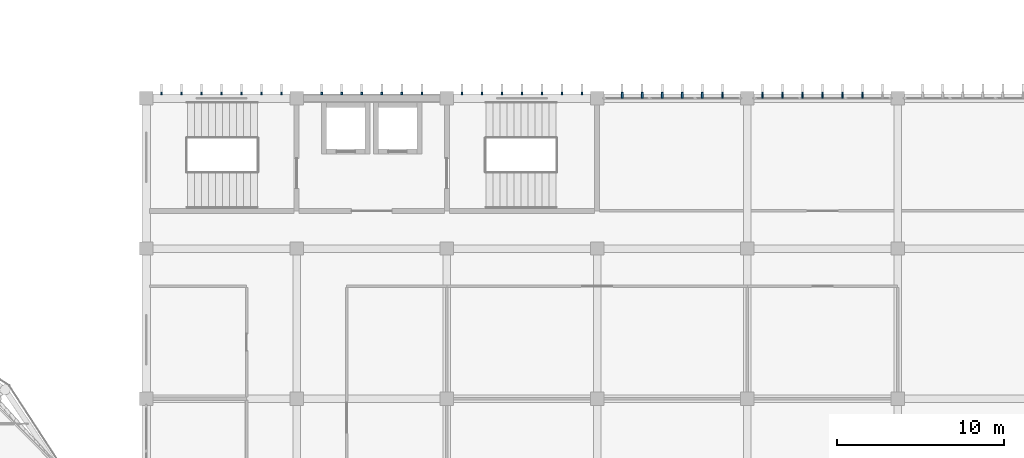
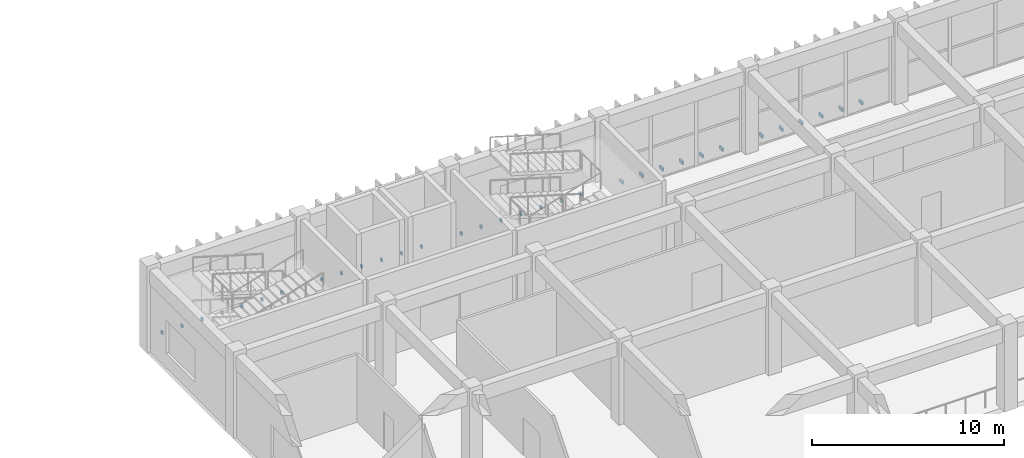
# One storey, part 402 of 437: 32 discrete accessories.
"""IFC4 building model written with IfcOpenShell, lengths in metres."""

import ifcopenshell
import ifcopenshell.guid

model = None  # the IFC model being written
_history = None  # IfcOwnerHistory: only IFC2X3 demands one
_inside = {}  # id of a spatial element -> (the spatial element, [elements in it])
_under = {}  # id of a project, library or spatial element -> (it, [spatial elements below it])
_declared = {}  # id of a project -> (the project, [libraries it declares])
_typed = {}  # id of a type object -> (the type object, [elements of that type])
_made_of = {}  # id of a material, layer set ... -> (it, [elements and type objects made of it])


def new_model(schema):
    """Start an empty IFC model of exactly this schema.

    Asked for "IFC4X3", IfcOpenShell would pick the latest addendum, in which some entities
    have other attributes; the version numbers below select the first issue.
    IFC2X3 requires an IfcOwnerHistory on every rooted entity: one is made here for all.
    """
    global model, _history
    if schema == "IFC4X3":
        model = ifcopenshell.file(schema_version=(4, 3, 0, 0))
    else:
        model = ifcopenshell.file(schema=schema)
    _inside.clear()
    _under.clear()
    _declared.clear()
    _typed.clear()
    _made_of.clear()
    _history = None
    if model.schema == "IFC2X3":
        org = make("IfcOrganization", Name="unknown")
        user = make(
            "IfcPersonAndOrganization",
            ThePerson=make("IfcPerson", FamilyName="unknown"),
            TheOrganization=org,
        )
        app = make(
            "IfcApplication",
            ApplicationDeveloper=org,
            Version="unknown",
            ApplicationFullName="unknown",
            ApplicationIdentifier="unknown",
        )
        _history = make(
            "IfcOwnerHistory",
            OwningUser=user,
            OwningApplication=app,
            ChangeAction="ADDED",
            CreationDate=0,
        )
    return model


def make(cls, **values):
    """One entity of the class cls with the attributes given. An attribute that is None is left unset."""
    return model.create_entity(
        cls, **{name: value for name, value in values.items() if value is not None}
    )


def rooted(cls, **values):
    """An entity with a GlobalId (a new one), such as an element, a storey or a relation."""
    return make(cls, GlobalId=ifcopenshell.guid.new(), OwnerHistory=_history, **values)


def si_unit(unit_type, name, prefix=None):
    """IfcSIUnit, for example si_unit("LENGTHUNIT", "METRE", prefix="MILLI")."""
    return make("IfcSIUnit", UnitType=unit_type, Prefix=prefix, Name=name)


def assignment(units):
    """IfcUnitAssignment: the units of a project."""
    return None if units is None else make("IfcUnitAssignment", Units=units)


def point(xyz):
    """IfcCartesianPoint."""
    return None if xyz is None else make("IfcCartesianPoint", Coordinates=xyz)


def direction(xyz):
    """IfcDirection."""
    return None if xyz is None else make("IfcDirection", DirectionRatios=xyz)


def frame(location, z_axis=None, x_axis=None):
    """IfcAxis2Placement3D, a coordinate frame: its origin and axes. An axis left out is left unset."""
    return make(
        "IfcAxis2Placement3D",
        Location=point(location),
        Axis=direction(z_axis),
        RefDirection=direction(x_axis),
    )


def frame_2d(location, x_axis=None):
    """IfcAxis2Placement2D, a coordinate frame in the plane: its origin and x axis."""
    return make(
        "IfcAxis2Placement2D", Location=point(location), RefDirection=direction(x_axis)
    )


def origin():
    """The frame at (0, 0, 0) with its axes left unset."""
    return frame((0.0, 0.0, 0.0))


def origin_2d():
    """The frame at (0, 0) in the plane with its x axis left unset."""
    return frame_2d((0.0, 0.0))


def place(relative_to, where):
    """IfcLocalPlacement: puts the frame where relative to a parent placement (None: the world)."""
    return make(
        "IfcLocalPlacement", PlacementRelTo=relative_to, RelativePlacement=where
    )


def context(
    kind, dimensions, precision=None, world=None, true_north=None, identifier=None
):
    """IfcGeometricRepresentationContext, for example the 3D "Model" context."""
    return make(
        "IfcGeometricRepresentationContext",
        ContextIdentifier=identifier,
        ContextType=kind,
        CoordinateSpaceDimension=dimensions,
        Precision=precision,
        WorldCoordinateSystem=world,
        TrueNorth=true_north,
    )


def subcontext(parent, identifier, kind, view, scale=None):
    """IfcGeometricRepresentationSubContext, for example "Body" below "Model"."""
    return make(
        "IfcGeometricRepresentationSubContext",
        ContextIdentifier=identifier,
        ContextType=kind,
        ParentContext=parent,
        TargetScale=scale,
        TargetView=view,
    )


def project(units=None, contexts=None):
    """IfcProject with its units and contexts."""
    return rooted(
        "IfcProject",
        Name="project",
        RepresentationContexts=contexts,
        UnitsInContext=assignment(units),
    )


def spatial(cls, under=None, at=None, **own):
    """A site, building, storey or space (cls), placed at a placement, below another one or the project."""
    s = rooted(cls, ObjectPlacement=at, **own)
    if under is not None:
        _under.setdefault(under.id(), (under, []))[1].append(s)
    return s


def profile(cls, at=None, kind="AREA", **sizes):
    """A parametric profile (cls). Its sizes go by their IFC names, for example OverallWidth=200.0."""
    return make(cls, ProfileType=kind, Position=at, **sizes)


def rectangle(**sizes):
    """IfcRectangleProfileDef."""
    return profile("IfcRectangleProfileDef", **sizes)


def extrude(swept, where, along, depth):
    """IfcExtrudedAreaSolid: the profile swept, set in the frame where, extruded along a direction by depth."""
    return make(
        "IfcExtrudedAreaSolid",
        SweptArea=swept,
        Position=where,
        ExtrudedDirection=direction(along),
        Depth=depth,
    )


def shape(context_of_items, identifier, shape_type, items):
    """IfcShapeRepresentation: the items that make up one representation, for example the "Body"."""
    return make(
        "IfcShapeRepresentation",
        ContextOfItems=context_of_items,
        RepresentationIdentifier=identifier,
        RepresentationType=shape_type,
        Items=items,
    )


def material(Name=None, Category=None):
    """IfcMaterial."""
    return make("IfcMaterial", Name=Name, Category=Category)


def made_of(thing, what):
    """Note that an element or type object is made of a material, layer set ...; save() writes the relation."""
    if what is not None:
        _made_of.setdefault(what.id(), (what, []))[1].append(thing)
    return thing


def type_object(cls, material=None, **own):
    """A type object (cls), such as IfcWallType, which elements share."""
    return made_of(rooted(cls, **own), material)


def element(
    cls,
    number,
    at=None,
    inside=None,
    cuts=None,
    type_object=None,
    material=None,
    context=None,
    identifier="Body",
    shape_type=None,
    held_by="IfcProductDefinitionShape",
    body=None,
    shapes=None,
    **own,
):
    """One element of the class cls, such as IfcWall. Its Tag is "e" and its number.

    at: its placement. inside: the storey or other place that contains it. cuts: it is an
    opening in that element (IfcRelVoidsElement). A single representation is given by context,
    identifier, shape_type and body (its items); several are given by shapes. held_by: the class
    of the entity that holds the representations. save() writes the other relations.
    """
    e = rooted(cls, Tag="e%d" % number, ObjectPlacement=at, **own)
    if body is not None:
        shapes = [shape(context, identifier, shape_type, body)]
    if shapes is not None:
        e.Representation = make(held_by, Representations=shapes)
    if inside is not None:
        _inside.setdefault(inside.id(), (inside, []))[1].append(e)
    if cuts is not None:
        rooted(
            "IfcRelVoidsElement", RelatingBuildingElement=cuts, RelatedOpeningElement=e
        )
    if type_object is not None:
        _typed.setdefault(type_object.id(), (type_object, []))[1].append(e)
    return made_of(e, material)


def aggregate(whole, parts):
    """IfcRelAggregates: a whole, such as a stair, and the parts it consists of."""
    return rooted("IfcRelAggregates", RelatingObject=whole, RelatedObjects=parts)


def save(model, path):
    """Write the relations noted so far, then the file.

    IfcRelAggregates (storeys below a building ...), IfcRelContainedInSpatialStructure (elements
    in a storey), IfcRelDefinesByType, IfcRelAssociatesMaterial and IfcRelDeclares: one each for
    every whole, place, type object, material and project.
    """
    for whole, parts in _under.values():
        aggregate(whole, parts)
    for where, things in _inside.values():
        rooted(
            "IfcRelContainedInSpatialStructure",
            RelatedElements=things,
            RelatingStructure=where,
        )
    for kind, things in _typed.values():
        rooted("IfcRelDefinesByType", RelatedObjects=things, RelatingType=kind)
    for what, things in _made_of.values():
        rooted("IfcRelAssociatesMaterial", RelatedObjects=things, RelatingMaterial=what)
    for by, libraries in _declared.values():
        rooted("IfcRelDeclares", RelatingContext=by, RelatedDefinitions=libraries)
    model.write(path)


model = new_model("IFC4")

# Units and contexts
model_context = context("Model", 3, precision=1e-05, world=origin(), true_north=direction((0.0, 1.0)))
body_context = subcontext(model_context, "Body", "Model", "MODEL_VIEW")
ifc_project = project(units=[si_unit("LENGTHUNIT", "METRE"), si_unit("AREAUNIT", "SQUARE_METRE"), si_unit("VOLUMEUNIT", "CUBIC_METRE"), si_unit("PLANEANGLEUNIT", "RADIAN"), si_unit("MASSUNIT", "GRAM", prefix="KILO")], contexts=[model_context])

# Site, building, storey
site_placement = place(None, origin())
site = spatial("IfcSite", under=ifc_project, at=site_placement, CompositionType="ELEMENT")
building_placement = place(site_placement, origin())
building = spatial("IfcBuilding", under=site, at=building_placement, Name="Opaline Strait Convention Centre", CompositionType="ELEMENT")
storey_placement = place(building_placement, frame((0.0, 0.0, 11.5)))
storey = spatial("IfcBuildingStorey", under=building, at=storey_placement, Name="L02", CompositionType="ELEMENT", Elevation=11.5)

# Discrete accessories
ifc_material = material(Name="Stainless steel 304", Category="steel")
discrete_accessory_type = type_object("IfcDiscreteAccessoryType", Name="Fin bracket 150 stainless steel", PredefinedType="BRACKET", material=ifc_material)
for number, where, z_axis, x_axis, name in (
    (1, (279.89990234375, 180.27490234375, 0.35009765625), (0.0, 0.0, 1.0), (1.0, 0.0, 0.0), "Fin bracket"),
    (2, (281.10009765625, 180.27490234375, 0.35009765625), (0.0, 0.0, 1.0), (1.0, 0.0, 0.0), "Fin bracket"),
    (3, (282.300048828125, 180.27490234375, 0.35009765625), (0.0, 0.0, 1.0), (1.0, 0.0, 0.0), "Fin bracket"),
    (4, (283.5, 180.27490234375, 0.35009765625), (0.0, 0.0, 1.0), (1.0, 0.0, 0.0), "Fin bracket"),
    (5, (284.699951171875, 180.27490234375, 0.35009765625), (0.0, 0.0, 1.0), (1.0, 0.0, 0.0), "Fin bracket"),
    (6, (285.89990234375, 180.27490234375, 0.35009765625), (0.0, 0.0, 1.0), (1.0, 0.0, 0.0), "Fin bracket"),
    (7, (287.10009765625, 180.27490234375, 0.35009765625), (0.0, 0.0, 1.0), (1.0, 0.0, 0.0), "Fin bracket"),
    (8, (289.5, 180.27490234375, 0.35009765625), (0.0, 0.0, 1.0), (1.0, 0.0, 0.0), "Fin bracket"),
    (9, (290.699951171875, 180.27490234375, 0.35009765625), (0.0, 0.0, 1.0), (1.0, 0.0, 0.0), "Fin bracket"),
    (10, (291.89990234375, 180.27490234375, 0.35009765625), (0.0, 0.0, 1.0), (1.0, 0.0, 0.0), "Fin bracket"),
    (11, (293.10009765625, 180.27490234375, 0.35009765625), (0.0, 0.0, 1.0), (1.0, 0.0, 0.0), "Fin bracket"),
    (12, (294.300048828125, 180.27490234375, 0.35009765625), (0.0, 0.0, 1.0), (1.0, 0.0, 0.0), "Fin bracket"),
    (13, (295.5, 180.27490234375, 0.35009765625), (0.0, 0.0, 1.0), (1.0, 0.0, 0.0), "Fin bracket"),
    (14, (297.89990234375, 180.27490234375, 0.35009765625), (0.0, 0.0, 1.0), (1.0, 0.0, 0.0), "Fin bracket"),
    (15, (299.10009765625, 180.27490234375, 0.35009765625), (0.0, 0.0, 1.0), (1.0, 0.0, 0.0), "Fin bracket"),
    (16, (300.300048828125, 180.27490234375, 0.35009765625), (0.0, 0.0, 1.0), (1.0, 0.0, 0.0), "Fin bracket"),
    (17, (301.5, 180.27490234375, 0.35009765625), (0.0, 0.0, 1.0), (1.0, 0.0, 0.0), "Fin bracket"),
    (18, (302.699951171875, 180.27490234375, 0.35009765625), (0.0, 0.0, 1.0), (1.0, 0.0, 0.0), "Fin bracket"),
    (19, (303.89990234375, 180.27490234375, 0.35009765625), (0.0, 0.0, 1.0), (1.0, 0.0, 0.0), "Fin bracket"),
    (20, (305.10009765625, 180.27490234375, 0.35009765625), (0.0, 0.0, 1.0), (1.0, 0.0, 0.0), "Fin bracket"),
):
    element("IfcDiscreteAccessory", number, at=place(storey_placement, frame(where, z_axis=z_axis, x_axis=x_axis)), inside=storey, type_object=discrete_accessory_type, Name=name, PredefinedType="BRACKET", context=body_context, shape_type="SweptSolid", body=[
        extrude(rectangle(XDim=0.10009765625, YDim=0.14990234375, at=origin_2d()), origin(), (0.0, 0.0, 1.0), 0.199951171875),
    ])
for number, where, z_axis, x_axis, name in (
    (21, (307.5, 180.181884765625, 0.35009765625), (0.0, 0.0, 1.0), (1.0, 0.0, 0.0), "Fin bracket"),
    (22, (308.699951171875, 180.181884765625, 0.35009765625), (0.0, 0.0, 1.0), (1.0, 0.0, 0.0), "Fin bracket"),
    (23, (309.89990234375, 180.181884765625, 0.35009765625), (0.0, 0.0, 1.0), (1.0, 0.0, 0.0), "Fin bracket"),
    (24, (311.10009765625, 180.181884765625, 0.35009765625), (0.0, 0.0, 1.0), (1.0, 0.0, 0.0), "Fin bracket"),
    (25, (312.300048828125, 180.181884765625, 0.35009765625), (0.0, 0.0, 1.0), (1.0, 0.0, 0.0), "Fin bracket"),
    (26, (313.5, 180.181884765625, 0.35009765625), (0.0, 0.0, 1.0), (1.0, 0.0, 0.0), "Fin bracket"),
    (27, (315.89990234375, 180.181884765625, 0.35009765625), (0.0, 0.0, 1.0), (1.0, 0.0, 0.0), "Fin bracket"),
    (28, (317.10009765625, 180.181884765625, 0.35009765625), (0.0, 0.0, 1.0), (1.0, 0.0, 0.0), "Fin bracket"),
    (29, (318.300048828125, 180.181884765625, 0.35009765625), (0.0, 0.0, 1.0), (1.0, 0.0, 0.0), "Fin bracket"),
    (30, (319.5, 180.181884765625, 0.35009765625), (0.0, 0.0, 1.0), (1.0, 0.0, 0.0), "Fin bracket"),
    (31, (320.699951171875, 180.181884765625, 0.35009765625), (0.0, 0.0, 1.0), (1.0, 0.0, 0.0), "Fin bracket"),
    (32, (321.89990234375, 180.181884765625, 0.35009765625), (0.0, 0.0, 1.0), (1.0, 0.0, 0.0), "Fin bracket"),
):
    element("IfcDiscreteAccessory", number, at=place(storey_placement, frame(where, z_axis=z_axis, x_axis=x_axis)), inside=storey, type_object=discrete_accessory_type, Name=name, PredefinedType="BRACKET", context=body_context, shape_type="SweptSolid", body=[
        extrude(rectangle(XDim=0.10009765625, YDim=0.3359375, at=origin_2d()), origin(), (0.0, 0.0, 1.0), 0.199951171875),
    ])

save(model, "model.ifc")
